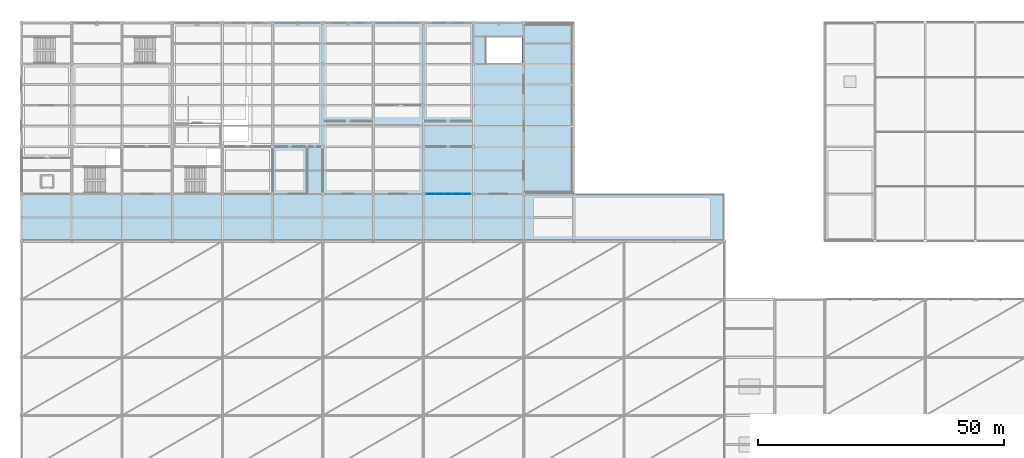
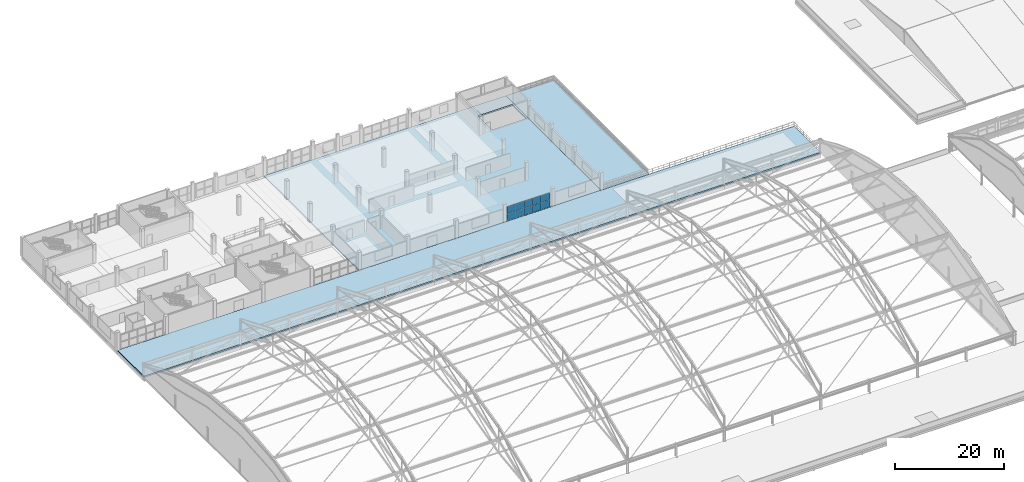
# One storey, part 109 of 135: 10 plates, 3 slabs, 1 element without a shape of its own.
"""IFC4 building model written with IfcOpenShell, lengths in metres."""

from ifc_helpers import new_model, si_unit, direction, frame, origin, origin_2d, place, context, subcontext, project, spatial, polyline, rectangle, outline, extrude, material, layer, layer_set, type_object, element, aggregate, save


model = new_model("IFC4")

# Units and contexts
model_context = context("Model", 3, precision=1e-05, world=origin(), true_north=direction((0.0, 1.0)))
body_context = subcontext(model_context, "Body", "Model", "MODEL_VIEW")
ifc_project = project(units=[si_unit("LENGTHUNIT", "METRE"), si_unit("AREAUNIT", "SQUARE_METRE"), si_unit("VOLUMEUNIT", "CUBIC_METRE"), si_unit("PLANEANGLEUNIT", "RADIAN"), si_unit("MASSUNIT", "GRAM", prefix="KILO")], contexts=[model_context])

# Site, building, storey
site_placement = place(None, origin())
site = spatial("IfcSite", under=ifc_project, at=site_placement, CompositionType="ELEMENT")
building_placement = place(site_placement, origin())
building = spatial("IfcBuilding", under=site, at=building_placement, Name="Brelvane Convention Centre", CompositionType="ELEMENT")
storey_placement = place(building_placement, frame((0.0, 0.0, 15.0)))
storey = spatial("IfcBuildingStorey", under=building, at=storey_placement, Name="L03", CompositionType="ELEMENT", Elevation=15.0)

# Curtain wall, plates
ifc_material_1 = material(Name="Anodised Aluminium Alloy 6063-T6", Category="aluminium")
curtain_wall_type = type_object("IfcCurtainWallType", Name="Curtain Wall CW-COURT", PredefinedType="USERDEFINED", material=ifc_material_1)
curtain_wall_placement = place(storey_placement, origin())
curtain_wall = element("IfcCurtainWall", 1, at=curtain_wall_placement, inside=storey, type_object=curtain_wall_type, Name="Curtain Wall CW-COURT L03-V4S-09", ObjectType="UNITISED", PredefinedType="USERDEFINED")
ifc_material_2 = material(Name="Double Glazed Low-E Laminated Unit")
ifc_layer_1 = layer(ifc_material_2, 0.031982421875)
ifc_layer_set_1 = layer_set([ifc_layer_1], Name="Double Glazed Low-E Laminated Unit")
plate_type = type_object("IfcPlateType", Name="Curtain Panel CW-PG1", PredefinedType="CURTAIN_PANEL", material=ifc_layer_set_1)
plate_1_placement = place(storey_placement, frame((83.078857421875, 109.199951171875, 0.070068359375), z_axis=(0.0, 0.0, 1.0), x_axis=(1.0, 0.0, 0.0)))
plate_1 = element("IfcPlate", 2, at=plate_1_placement, type_object=plate_type, Name="CW-COURT panel 1.1", PredefinedType="CURTAIN_PANEL", context=body_context, shape_type="SweptSolid", body=[
    extrude(rectangle(XDim=1.70751953125, YDim=0.031982421875, at=origin_2d()), origin(), (0.0, 0.0, 1.0), 1.544921875),
])
plate_2_placement = place(storey_placement, frame((83.078857421875, 109.199951171875, 1.68505859375), z_axis=(0.0, 0.0, 1.0), x_axis=(1.0, 0.0, 0.0)))
plate_2 = element("IfcPlate", 3, at=plate_2_placement, type_object=plate_type, Name="CW-COURT panel 1.2", PredefinedType="CURTAIN_PANEL", context=body_context, shape_type="SweptSolid", body=[
    extrude(rectangle(XDim=1.70751953125, YDim=0.031982421875, at=origin_2d()), origin(), (0.0, 0.0, 1.0), 1.544921875),
])
plate_3_placement = place(storey_placement, frame((84.8798828125, 109.199951171875, 0.070068359375), z_axis=(0.0, 0.0, 1.0), x_axis=(1.0, 0.0, 0.0)))
plate_3 = element("IfcPlate", 4, at=plate_3_placement, type_object=plate_type, Name="CW-COURT panel 2.1", PredefinedType="CURTAIN_PANEL", context=body_context, shape_type="SweptSolid", body=[
    extrude(rectangle(XDim=1.7451171875, YDim=0.031982421875, at=origin_2d()), origin(), (0.0, 0.0, 1.0), 1.544921875),
])
plate_4_placement = place(storey_placement, frame((84.8798828125, 109.199951171875, 1.68505859375), z_axis=(0.0, 0.0, 1.0), x_axis=(1.0, 0.0, 0.0)))
plate_4 = element("IfcPlate", 5, at=plate_4_placement, type_object=plate_type, Name="CW-COURT panel 2.2", PredefinedType="CURTAIN_PANEL", context=body_context, shape_type="SweptSolid", body=[
    extrude(rectangle(XDim=1.7451171875, YDim=0.031982421875, at=origin_2d()), origin(), (0.0, 0.0, 1.0), 1.544921875),
])
plate_5_placement = place(storey_placement, frame((86.699951171875, 109.199951171875, 0.070068359375), z_axis=(0.0, 0.0, 1.0), x_axis=(1.0, 0.0, 0.0)))
plate_5 = element("IfcPlate", 6, at=plate_5_placement, type_object=plate_type, Name="CW-COURT panel 3.1", PredefinedType="CURTAIN_PANEL", context=body_context, shape_type="SweptSolid", body=[
    extrude(rectangle(XDim=1.7451171875, YDim=0.031982421875, at=origin_2d()), origin(), (0.0, 0.0, 1.0), 1.544921875),
])
plate_6_placement = place(storey_placement, frame((86.699951171875, 109.199951171875, 1.68505859375), z_axis=(0.0, 0.0, 1.0), x_axis=(1.0, 0.0, 0.0)))
plate_6 = element("IfcPlate", 7, at=plate_6_placement, type_object=plate_type, Name="CW-COURT panel 3.2", PredefinedType="CURTAIN_PANEL", context=body_context, shape_type="SweptSolid", body=[
    extrude(rectangle(XDim=1.7451171875, YDim=0.031982421875, at=origin_2d()), origin(), (0.0, 0.0, 1.0), 1.544921875),
])
plate_7_placement = place(storey_placement, frame((88.52001953125, 109.199951171875, 0.070068359375), z_axis=(0.0, 0.0, 1.0), x_axis=(1.0, 0.0, 0.0)))
plate_7 = element("IfcPlate", 8, at=plate_7_placement, type_object=plate_type, Name="CW-COURT panel 4.1", PredefinedType="CURTAIN_PANEL", context=body_context, shape_type="SweptSolid", body=[
    extrude(rectangle(XDim=1.7451171875, YDim=0.031982421875, at=origin_2d()), origin(), (0.0, 0.0, 1.0), 1.544921875),
])
plate_8_placement = place(storey_placement, frame((88.52001953125, 109.199951171875, 1.68505859375), z_axis=(0.0, 0.0, 1.0), x_axis=(1.0, 0.0, 0.0)))
plate_8 = element("IfcPlate", 9, at=plate_8_placement, type_object=plate_type, Name="CW-COURT panel 4.2", PredefinedType="CURTAIN_PANEL", context=body_context, shape_type="SweptSolid", body=[
    extrude(rectangle(XDim=1.7451171875, YDim=0.031982421875, at=origin_2d()), origin(), (0.0, 0.0, 1.0), 1.544921875),
])
plate_9_placement = place(storey_placement, frame((90.3212890625, 109.199951171875, 0.070068359375), z_axis=(0.0, 0.0, 1.0), x_axis=(1.0, 0.0, 0.0)))
plate_9 = element("IfcPlate", 10, at=plate_9_placement, type_object=plate_type, Name="CW-COURT panel 5.1", PredefinedType="CURTAIN_PANEL", context=body_context, shape_type="SweptSolid", body=[
    extrude(rectangle(XDim=1.70751953125, YDim=0.031982421875, at=origin_2d()), origin(), (0.0, 0.0, 1.0), 1.544921875),
])
plate_10_placement = place(storey_placement, frame((90.3212890625, 109.199951171875, 1.68505859375), z_axis=(0.0, 0.0, 1.0), x_axis=(1.0, 0.0, 0.0)))
plate_10 = element("IfcPlate", 11, at=plate_10_placement, type_object=plate_type, Name="CW-COURT panel 5.2", PredefinedType="CURTAIN_PANEL", context=body_context, shape_type="SweptSolid", body=[
    extrude(rectangle(XDim=1.70751953125, YDim=0.031982421875, at=origin_2d()), origin(), (0.0, 0.0, 1.0), 1.544921875),
])
aggregate(curtain_wall, [plate_1, plate_2, plate_3, plate_4, plate_5, plate_6, plate_7, plate_8, plate_9, plate_10])

# Slabs
ifc_material_3 = material(Name="Concrete M40", Category="concrete")
ifc_layer_2 = layer(ifc_material_3, 0.294921875)
ifc_layer_set_2 = layer_set([ifc_layer_2], Name="Concrete M40")
slab_type_1 = type_object("IfcSlabType", Name="Structural Slab SL-FLR-295", PredefinedType="FLOOR", material=ifc_layer_set_2)
slab_1_placement = place(storey_placement, frame((0.0, 0.0, -0.294921875)))
element("IfcSlab", 12, at=slab_1_placement, inside=storey, type_object=slab_type_1, Name="L03 Floor Slab MEET-C", PredefinedType="FLOOR", context=body_context, shape_type="SweptSolid", body=[
    extrude(outline(polyline([(51.0, 109.199951171875), (102.0, 109.199951171875), (102.0, 144.0), (51.0, 144.0), (51.0, 109.199951171875)]), holes=[polyline([(94.39990234375, 135.85009765625), (101.64990234375, 135.85009765625), (101.64990234375, 140.949951171875), (94.39990234375, 140.949951171875), (94.39990234375, 135.85009765625)])]), origin(), (0.0, 0.0, 1.0), 0.294921875),
])
ifc_material_4 = material(Name="Concrete M40", Category="concrete")
ifc_layer_3 = layer(ifc_material_4, 0.31005859375)
ifc_layer_set_3 = layer_set([ifc_layer_3], Name="Concrete M40")
slab_type_2 = type_object("IfcSlabType", Name="Structural Slab SL-ROOF-GDN-310", PredefinedType="ROOF", material=ifc_layer_set_3)
slab_2_placement = place(storey_placement, frame((0.0, 0.0, -0.31005859375)))
element("IfcSlab", 13, at=slab_2_placement, inside=storey, type_object=slab_type_2, Name="Monsoon Courtyard Promenade Roof Garden Slab", PredefinedType="ROOF", context=body_context, shape_type="SweptSolid", body=[
    extrude(outline(polyline([(0.0, 99.60009765625), (142.800048828125, 99.60009765625), (142.800048828125, 109.199951171875), (0.0, 109.199951171875), (0.0, 99.60009765625)])), origin(), (0.0, 0.0, 1.0), 0.31005859375),
])
slab_3_placement = place(storey_placement, frame((0.0, 0.0, -0.31005859375)))
element("IfcSlab", 14, at=slab_3_placement, inside=storey, type_object=slab_type_2, Name="East Meeting Stepped Roof Garden Slab", PredefinedType="ROOF", context=body_context, shape_type="SweptSolid", body=[
    extrude(outline(polyline([(102.0, 109.199951171875), (112.199951171875, 109.199951171875), (112.199951171875, 144.0), (102.0, 144.0), (102.0, 109.199951171875)])), origin(), (0.0, 0.0, 1.0), 0.31005859375),
])

save(model, "model.ifc")
